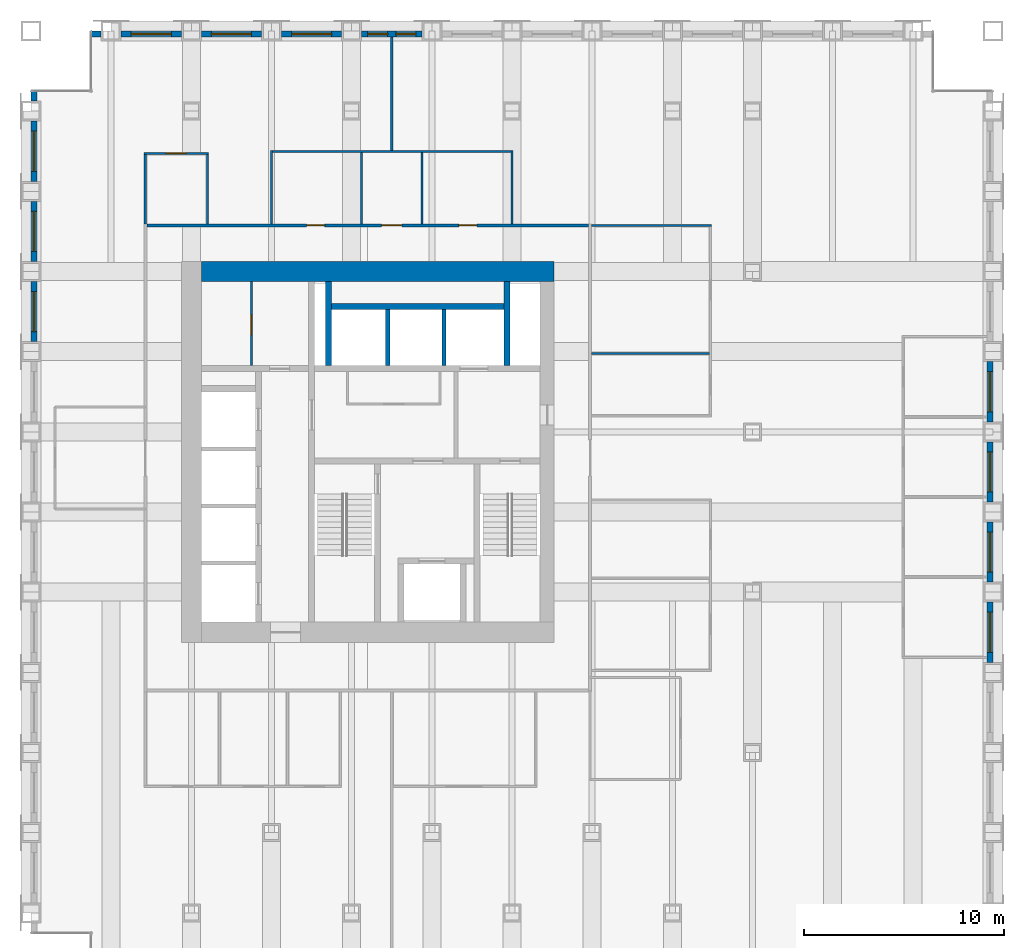
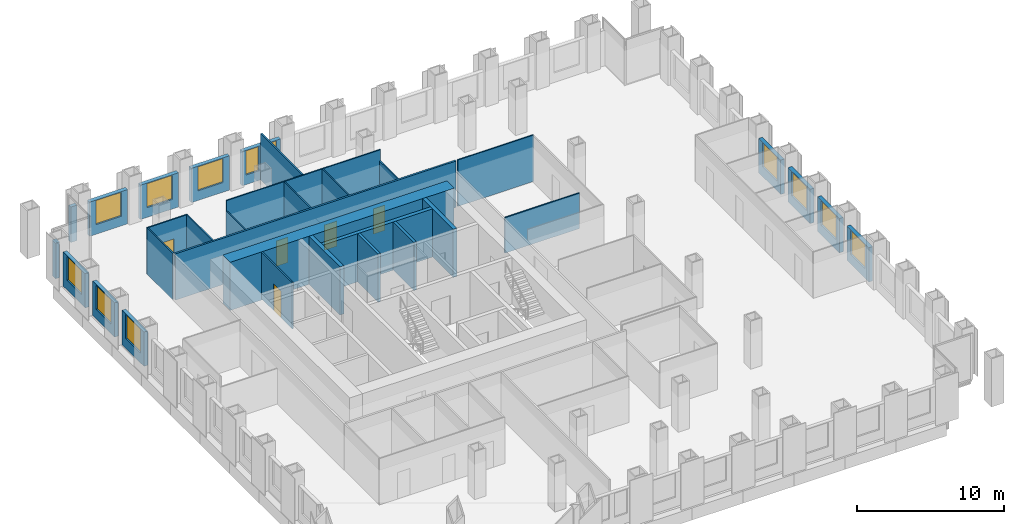
# One storey, part 13 of 16: 32 walls, 12 windows, 5 doors, 17 openings.
"""IFC4 building model written with IfcOpenShell, lengths in metres."""

import ifcopenshell
import ifcopenshell.guid

model = None  # the IFC model being written
_history = None  # IfcOwnerHistory: only IFC2X3 demands one
_inside = {}  # id of a spatial element -> (the spatial element, [elements in it])
_under = {}  # id of a project, library or spatial element -> (it, [spatial elements below it])
_declared = {}  # id of a project -> (the project, [libraries it declares])
_typed = {}  # id of a type object -> (the type object, [elements of that type])
_made_of = {}  # id of a material, layer set ... -> (it, [elements and type objects made of it])


def new_model(schema):
    """Start an empty IFC model of exactly this schema.

    Asked for "IFC4X3", IfcOpenShell would pick the latest addendum, in which some entities
    have other attributes; the version numbers below select the first issue.
    IFC2X3 requires an IfcOwnerHistory on every rooted entity: one is made here for all.
    """
    global model, _history
    if schema == "IFC4X3":
        model = ifcopenshell.file(schema_version=(4, 3, 0, 0))
    else:
        model = ifcopenshell.file(schema=schema)
    _inside.clear()
    _under.clear()
    _declared.clear()
    _typed.clear()
    _made_of.clear()
    _history = None
    if model.schema == "IFC2X3":
        org = make("IfcOrganization", Name="unknown")
        user = make(
            "IfcPersonAndOrganization",
            ThePerson=make("IfcPerson", FamilyName="unknown"),
            TheOrganization=org,
        )
        app = make(
            "IfcApplication",
            ApplicationDeveloper=org,
            Version="unknown",
            ApplicationFullName="unknown",
            ApplicationIdentifier="unknown",
        )
        _history = make(
            "IfcOwnerHistory",
            OwningUser=user,
            OwningApplication=app,
            ChangeAction="ADDED",
            CreationDate=0,
        )
    return model


def make(cls, **values):
    """One entity of the class cls with the attributes given. An attribute that is None is left unset."""
    return model.create_entity(
        cls, **{name: value for name, value in values.items() if value is not None}
    )


def rooted(cls, **values):
    """An entity with a GlobalId (a new one), such as an element, a storey or a relation."""
    return make(cls, GlobalId=ifcopenshell.guid.new(), OwnerHistory=_history, **values)


def si_unit(unit_type, name, prefix=None):
    """IfcSIUnit, for example si_unit("LENGTHUNIT", "METRE", prefix="MILLI")."""
    return make("IfcSIUnit", UnitType=unit_type, Prefix=prefix, Name=name)


def assignment(units):
    """IfcUnitAssignment: the units of a project."""
    return None if units is None else make("IfcUnitAssignment", Units=units)


def point(xyz):
    """IfcCartesianPoint."""
    return None if xyz is None else make("IfcCartesianPoint", Coordinates=xyz)


def direction(xyz):
    """IfcDirection."""
    return None if xyz is None else make("IfcDirection", DirectionRatios=xyz)


def frame(location, z_axis=None, x_axis=None):
    """IfcAxis2Placement3D, a coordinate frame: its origin and axes. An axis left out is left unset."""
    return make(
        "IfcAxis2Placement3D",
        Location=point(location),
        Axis=direction(z_axis),
        RefDirection=direction(x_axis),
    )


def frame_2d(location, x_axis=None):
    """IfcAxis2Placement2D, a coordinate frame in the plane: its origin and x axis."""
    return make(
        "IfcAxis2Placement2D", Location=point(location), RefDirection=direction(x_axis)
    )


def origin():
    """The frame at (0, 0, 0) with its axes left unset."""
    return frame((0.0, 0.0, 0.0))


def place(relative_to, where):
    """IfcLocalPlacement: puts the frame where relative to a parent placement (None: the world)."""
    return make(
        "IfcLocalPlacement", PlacementRelTo=relative_to, RelativePlacement=where
    )


def context(
    kind, dimensions, precision=None, world=None, true_north=None, identifier=None
):
    """IfcGeometricRepresentationContext, for example the 3D "Model" context."""
    return make(
        "IfcGeometricRepresentationContext",
        ContextIdentifier=identifier,
        ContextType=kind,
        CoordinateSpaceDimension=dimensions,
        Precision=precision,
        WorldCoordinateSystem=world,
        TrueNorth=true_north,
    )


def subcontext(parent, identifier, kind, view, scale=None):
    """IfcGeometricRepresentationSubContext, for example "Body" below "Model"."""
    return make(
        "IfcGeometricRepresentationSubContext",
        ContextIdentifier=identifier,
        ContextType=kind,
        ParentContext=parent,
        TargetScale=scale,
        TargetView=view,
    )


def project(units=None, contexts=None):
    """IfcProject with its units and contexts."""
    return rooted(
        "IfcProject",
        Name="project",
        RepresentationContexts=contexts,
        UnitsInContext=assignment(units),
    )


def spatial(cls, under=None, at=None, **own):
    """A site, building, storey or space (cls), placed at a placement, below another one or the project."""
    s = rooted(cls, ObjectPlacement=at, **own)
    if under is not None:
        _under.setdefault(under.id(), (under, []))[1].append(s)
    return s


def profile(cls, at=None, kind="AREA", **sizes):
    """A parametric profile (cls). Its sizes go by their IFC names, for example OverallWidth=200.0."""
    return make(cls, ProfileType=kind, Position=at, **sizes)


def rectangle(**sizes):
    """IfcRectangleProfileDef."""
    return profile("IfcRectangleProfileDef", **sizes)


def extrude(swept, where, along, depth):
    """IfcExtrudedAreaSolid: the profile swept, set in the frame where, extruded along a direction by depth."""
    return make(
        "IfcExtrudedAreaSolid",
        SweptArea=swept,
        Position=where,
        ExtrudedDirection=direction(along),
        Depth=depth,
    )


def shape(context_of_items, identifier, shape_type, items):
    """IfcShapeRepresentation: the items that make up one representation, for example the "Body"."""
    return make(
        "IfcShapeRepresentation",
        ContextOfItems=context_of_items,
        RepresentationIdentifier=identifier,
        RepresentationType=shape_type,
        Items=items,
    )


def material(Name=None, Category=None):
    """IfcMaterial."""
    return make("IfcMaterial", Name=Name, Category=Category)


def layer(
    of_material, thickness, ventilated=None, Name=None, Category=None, Priority=None
):
    """IfcMaterialLayer: one layer of a wall or slab, of a material (None: an air gap)."""
    return make(
        "IfcMaterialLayer",
        Material=of_material,
        LayerThickness=thickness,
        IsVentilated=ventilated,
        Name=Name,
        Category=Category,
        Priority=Priority,
    )


def layer_set(layers, Name=None):
    """IfcMaterialLayerSet."""
    return make("IfcMaterialLayerSet", MaterialLayers=layers, LayerSetName=Name)


def made_of(thing, what):
    """Note that an element or type object is made of a material, layer set ...; save() writes the relation."""
    if what is not None:
        _made_of.setdefault(what.id(), (what, []))[1].append(thing)
    return thing


def type_object(cls, material=None, **own):
    """A type object (cls), such as IfcWallType, which elements share."""
    return made_of(rooted(cls, **own), material)


def element(
    cls,
    number,
    at=None,
    inside=None,
    cuts=None,
    type_object=None,
    material=None,
    context=None,
    identifier="Body",
    shape_type=None,
    held_by="IfcProductDefinitionShape",
    body=None,
    shapes=None,
    **own,
):
    """One element of the class cls, such as IfcWall. Its Tag is "e" and its number.

    at: its placement. inside: the storey or other place that contains it. cuts: it is an
    opening in that element (IfcRelVoidsElement). A single representation is given by context,
    identifier, shape_type and body (its items); several are given by shapes. held_by: the class
    of the entity that holds the representations. save() writes the other relations.
    """
    e = rooted(cls, Tag="e%d" % number, ObjectPlacement=at, **own)
    if body is not None:
        shapes = [shape(context, identifier, shape_type, body)]
    if shapes is not None:
        e.Representation = make(held_by, Representations=shapes)
    if inside is not None:
        _inside.setdefault(inside.id(), (inside, []))[1].append(e)
    if cuts is not None:
        rooted(
            "IfcRelVoidsElement", RelatingBuildingElement=cuts, RelatedOpeningElement=e
        )
    if type_object is not None:
        _typed.setdefault(type_object.id(), (type_object, []))[1].append(e)
    return made_of(e, material)


def fill(opening, filler):
    """IfcRelFillsElement: the door or window that sits in an opening."""
    return rooted(
        "IfcRelFillsElement",
        RelatingOpeningElement=opening,
        RelatedBuildingElement=filler,
    )


def aggregate(whole, parts):
    """IfcRelAggregates: a whole, such as a stair, and the parts it consists of."""
    return rooted("IfcRelAggregates", RelatingObject=whole, RelatedObjects=parts)


def save(model, path):
    """Write the relations noted so far, then the file.

    IfcRelAggregates (storeys below a building ...), IfcRelContainedInSpatialStructure (elements
    in a storey), IfcRelDefinesByType, IfcRelAssociatesMaterial and IfcRelDeclares: one each for
    every whole, place, type object, material and project.
    """
    for whole, parts in _under.values():
        aggregate(whole, parts)
    for where, things in _inside.values():
        rooted(
            "IfcRelContainedInSpatialStructure",
            RelatedElements=things,
            RelatingStructure=where,
        )
    for kind, things in _typed.values():
        rooted("IfcRelDefinesByType", RelatedObjects=things, RelatingType=kind)
    for what, things in _made_of.values():
        rooted("IfcRelAssociatesMaterial", RelatedObjects=things, RelatingMaterial=what)
    for by, libraries in _declared.values():
        rooted("IfcRelDeclares", RelatingContext=by, RelatedDefinitions=libraries)
    model.write(path)


model = new_model("IFC4")

# Units and contexts
model_context = context("Model", 3, precision=1e-05, world=origin(), true_north=direction((0.0, 1.0)))
body_context = subcontext(model_context, "Body", "Model", "MODEL_VIEW")
ifc_project = project(units=[si_unit("LENGTHUNIT", "METRE"), si_unit("AREAUNIT", "SQUARE_METRE"), si_unit("VOLUMEUNIT", "CUBIC_METRE"), si_unit("PLANEANGLEUNIT", "RADIAN"), si_unit("MASSUNIT", "GRAM", prefix="KILO")], contexts=[model_context])

# Site, building, storey
site_placement = place(None, origin())
site = spatial("IfcSite", under=ifc_project, at=site_placement, CompositionType="ELEMENT")
building_placement = place(site_placement, origin())
building = spatial("IfcBuilding", under=site, at=building_placement, Name="Rimbunsela Tower", CompositionType="ELEMENT")
storey_placement = place(building_placement, frame((0.0, 0.0, 85.39990234375)))
storey = spatial("IfcBuildingStorey", under=building, at=storey_placement, Name="L20", CompositionType="ELEMENT", Elevation=85.39990234375)

# Walls
ifc_material_1 = material(Name="Concrete fc' 80 MPa", Category="concrete")
ifc_layer_1 = layer(ifc_material_1, 0.300048828125)
ifc_layer_set_1 = layer_set([ifc_layer_1], Name="Core internal wall 300")
wall_type_1 = type_object("IfcWallType", Name="Core internal wall 300", PredefinedType="SHEAR", material=ifc_layer_set_1)
for number, where, z_axis, x_axis, name in (
    (1, (24.85009765625, 31.300048828125, -0.14990234375), (0.0, 0.0, 1.0), (0.0, 1.0, 0.0), "Riser wall"),
    (2, (33.75, 31.300048828125, -0.14990234375), (0.0, 0.0, 1.0), (0.0, 1.0, 0.0), "Riser wall"),
):
    element("IfcWall", number, at=place(storey_placement, frame(where, z_axis=z_axis, x_axis=x_axis)), inside=storey, type_object=wall_type_1, Name=name, PredefinedType="SHEAR", context=body_context, shape_type="SweptSolid", body=[
        extrude(rectangle(XDim=4.199951171875, YDim=0.300048828125, at=frame_2d((2.10009765625, 0.0))), origin(), (0.0, 0.0, 1.0), 4.0),
    ])
wall_1_placement = place(storey_placement, frame((25.0, 34.25, -0.14990234375), z_axis=(0.0, 0.0, 1.0), x_axis=(1.0, 0.0, 0.0)))
element("IfcWall", 3, at=wall_1_placement, inside=storey, type_object=wall_type_1, Name="Lift shaft rear north", PredefinedType="SHEAR", context=body_context, shape_type="SweptSolid", body=[
    extrude(rectangle(XDim=8.60009765625, YDim=0.300048828125, at=frame_2d((4.300048828125, 0.0))), origin(), (0.0, 0.0, 1.0), 4.0),
])

# Wall, opening, door
ifc_material_2 = material(Name="Concrete blockwork", Category="masonry")
ifc_layer_2 = layer(ifc_material_2, 0.10009765625)
ifc_layer_set_2 = layer_set([ifc_layer_2], Name="Core room partition 100")
wall_type_2 = type_object("IfcWallType", Name="Core room partition 100", PredefinedType="PARTITIONING", material=ifc_layer_set_2)
wall_2_placement = place(storey_placement, frame((21.0, 31.300048828125, 0.0), z_axis=(0.0, 0.0, 1.0), x_axis=(0.0, 1.0, 0.0)))
wall_2 = element("IfcWall", 4, at=wall_2_placement, inside=storey, type_object=wall_type_2, Name="Housekeeping store wall", PredefinedType="PARTITIONING", context=body_context, shape_type="SweptSolid", body=[
    extrude(rectangle(XDim=4.199951171875, YDim=0.10009765625, at=frame_2d((2.10009765625, 0.0))), origin(), (0.0, 0.0, 1.0), 3.85009765625),
])
opening_1_placement = place(wall_2_placement, frame((1.550048828125, 0.0, 0.0)))
opening_1 = element("IfcOpeningElement", 5, at=opening_1_placement, cuts=wall_2, Name="Opening D19", PredefinedType="OPENING", context=body_context, shape_type="SweptSolid", body=[
    extrude(rectangle(XDim=1.0, YDim=2.199951171875, at=frame_2d((0.5, 1.10009765625))), frame((0.0, 0.06005859375, 0.0), z_axis=(0.0, -1.0, 0.0), x_axis=(1.0, 0.0, 0.0)), (0.0, 0.0, 1.0), 0.1201171875),
])
ifc_material_3 = material(Name="Steel door, fire rated", Category="steel")
door_type_1 = type_object("IfcDoorType", Name="Service door 1000 fire rated", OperationType="SINGLE_SWING_LEFT", PredefinedType="DOOR", material=ifc_material_3)
door_1_placement = place(opening_1_placement, origin())
door_1 = element("IfcDoor", 6, at=door_1_placement, inside=storey, type_object=door_type_1, Name="Housekeeping store door", OperationType="SINGLE_SWING_LEFT", OverallHeight=2.199951171875, OverallWidth=1.0, PredefinedType="DOOR", context=body_context, shape_type="SweptSolid", body=[
    extrude(rectangle(XDim=1.0, YDim=2.199951171875, at=frame_2d((0.5, 1.10009765625))), frame((0.0, 0.02490234375, 0.0), z_axis=(0.0, -1.0, 0.0), x_axis=(1.0, 0.0, 0.0)), (0.0, 0.0, 1.0), 0.050048828125),
])
fill(opening_1, door_1)

# Walls
ifc_material_4 = material(Name="Concrete fc' 80 MPa", Category="concrete")
ifc_layer_3 = layer(ifc_material_4, 1.0)
ifc_layer_set_3 = layer_set([ifc_layer_3], Name="Core wall 1000")
wall_type_3 = type_object("IfcWallType", Name="Core wall 1000", PredefinedType="SHEAR", material=ifc_layer_set_3)
wall_3_placement = place(storey_placement, frame((18.5, 36.0, -0.14990234375), z_axis=(0.0, 0.0, 1.0), x_axis=(1.0, 0.0, 0.0)))
element("IfcWall", 7, at=wall_3_placement, inside=storey, type_object=wall_type_3, Name="Core wall north", PredefinedType="SHEAR", context=body_context, shape_type="SweptSolid", body=[
    extrude(rectangle(XDim=17.60009765625, YDim=1.0, at=frame_2d((8.800048828125, 0.0))), origin(), (0.0, 0.0, 1.0), 4.0),
])
ifc_material_5 = material(Name="Concrete blockwork", Category="masonry")
ifc_layer_4 = layer(ifc_material_5, 0.199951171875)
ifc_layer_set_4 = layer_set([ifc_layer_4], Name="Lift shaft wall 200")
wall_type_4 = type_object("IfcWallType", Name="Lift shaft wall 200", PredefinedType="SOLIDWALL", material=ifc_layer_set_4)
for number, where, z_axis, x_axis, name in (
    (8, (27.800048828125, 31.300048828125, -0.14990234375), (0.0, 0.0, 1.0), (0.0, 1.0, 0.0), "Lift shaft separation"),
    (9, (30.60009765625, 31.300048828125, -0.14990234375), (0.0, 0.0, 1.0), (0.0, 1.0, 0.0), "Lift shaft separation"),
):
    element("IfcWall", number, at=place(storey_placement, frame(where, z_axis=z_axis, x_axis=x_axis)), inside=storey, type_object=wall_type_4, Name=name, PredefinedType="SOLIDWALL", context=body_context, shape_type="SweptSolid", body=[
        extrude(rectangle(XDim=2.800048828125, YDim=0.199951171875, at=frame_2d((1.39990234375, 0.0))), origin(), (0.0, 0.0, 1.0), 4.0),
    ])
ifc_material_6 = material(Name="Gypsum board on steel studs", Category="steel")
ifc_layer_5 = layer(ifc_material_6, 0.10009765625)
ifc_layer_set_5 = layer_set([ifc_layer_5], Name="Office partition 100")
wall_type_5 = type_object("IfcWallType", Name="Office partition 100", PredefinedType="PARTITIONING", material=ifc_layer_set_5)
wall_4_placement = place(storey_placement, frame((37.97509765625, 31.89990234375, 0.0), z_axis=(0.0, 0.0, 1.0), x_axis=(1.0, 0.0, 0.0)))
element("IfcWall", 10, at=wall_4_placement, inside=storey, type_object=wall_type_5, Name="Office partition", PredefinedType="PARTITIONING", context=body_context, shape_type="SweptSolid", body=[
    extrude(rectangle(XDim=5.875, YDim=0.10009765625, at=frame_2d((2.9375, 0.0))), origin(), (0.0, 0.0, 1.0), 2.9501953125),
])
wall_5_placement = place(storey_placement, frame((37.97509765625, 38.300048828125, 0.0), z_axis=(0.0, 0.0, 1.0), x_axis=(1.0, 0.0, 0.0)))
element("IfcWall", 11, at=wall_5_placement, inside=storey, type_object=wall_type_5, Name="Office partition", PredefinedType="PARTITIONING", context=body_context, shape_type="SweptSolid", body=[
    extrude(rectangle(XDim=5.974853515625, YDim=0.10009765625, at=frame_2d((2.9873046875, 0.0))), origin(), (0.0, 0.0, 1.0), 3.85009765625),
])

# Wall, opening, door
wall_6_placement = place(storey_placement, frame((15.64990234375, 41.89990234375, 0.0), z_axis=(0.0, 0.0, 1.0), x_axis=(1.0, 0.0, 0.0)))
wall_6 = element("IfcWall", 12, at=wall_6_placement, inside=storey, type_object=wall_type_5, Name="Office partition", PredefinedType="PARTITIONING", context=body_context, shape_type="SweptSolid", body=[
    extrude(rectangle(XDim=3.2001953125, YDim=0.10009765625, at=frame_2d((1.60009765625, 0.0))), origin(), (0.0, 0.0, 1.0), 3.85009765625),
])
opening_2_placement = place(wall_6_placement, frame((1.10009765625, 0.0, 0.0)))
opening_2 = element("IfcOpeningElement", 13, at=opening_2_placement, cuts=wall_6, Name="Opening D16", PredefinedType="OPENING", context=body_context, shape_type="SweptSolid", body=[
    extrude(rectangle(XDim=1.0, YDim=2.199951171875, at=frame_2d((0.5, 1.10009765625))), frame((0.0, 0.06005859375, 0.0), z_axis=(0.0, -1.0, 0.0), x_axis=(1.0, 0.0, 0.0)), (0.0, 0.0, 1.0), 0.1201171875),
])
ifc_material_7 = material(Name="Timber door", Category="wood")
door_type_2 = type_object("IfcDoorType", Name="Office door 1000", OperationType="SINGLE_SWING_LEFT", PredefinedType="DOOR", material=ifc_material_7)
door_2_placement = place(opening_2_placement, origin())
door_2 = element("IfcDoor", 14, at=door_2_placement, inside=storey, type_object=door_type_2, Name="Office door", OperationType="SINGLE_SWING_LEFT", OverallHeight=2.199951171875, OverallWidth=1.0, PredefinedType="DOOR", context=body_context, shape_type="SweptSolid", body=[
    extrude(rectangle(XDim=1.0, YDim=2.199951171875, at=frame_2d((0.5, 1.10009765625))), frame((0.0, 0.02490234375, 0.0), z_axis=(0.0, -1.0, 0.0), x_axis=(1.0, 0.0, 0.0)), (0.0, 0.0, 1.0), 0.050048828125),
])
fill(opening_2, door_2)

# Walls
for number, where, z_axis, x_axis, name in (
    (15, (15.699951171875, 38.375, 0.0), (0.0, 0.0, 1.0), (0.0, 1.0, 0.0), "Office partition"),
    (16, (18.800048828125, 38.375, 0.0), (0.0, 0.0, 1.0), (0.0, 1.0, 0.0), "Office partition"),
):
    element("IfcWall", number, at=place(storey_placement, frame(where, z_axis=z_axis, x_axis=x_axis)), inside=storey, type_object=wall_type_5, Name=name, PredefinedType="PARTITIONING", context=body_context, shape_type="SweptSolid", body=[
        extrude(rectangle(XDim=3.47509765625, YDim=0.10009765625, at=frame_2d((1.737548828125, 0.0))), origin(), (0.0, 0.0, 1.0), 3.85009765625),
    ])

# Wall, opening, window
ifc_material_8 = material(Name="Precast concrete fc' 35 MPa", Category="concrete")
ifc_layer_6 = layer(ifc_material_8, 0.300048828125)
ifc_layer_set_6 = layer_set([ifc_layer_6], Name="Precast concrete fc' 35 MPa")
wall_type_6 = type_object("IfcWallType", Name="Precast facade panel 300", PredefinedType="ELEMENTEDWALL", material=ifc_layer_set_6)
wall_7_placement = place(storey_placement, frame((57.85009765625, 16.5, 0.0), z_axis=(0.0, 0.0, 1.0), x_axis=(0.0, 1.0, 0.0)))
wall_7 = element("IfcWall", 17, at=wall_7_placement, inside=storey, type_object=wall_type_6, Name="Facade panel E L20", PredefinedType="ELEMENTEDWALL", context=body_context, shape_type="SweptSolid", body=[
    extrude(rectangle(XDim=3.0, YDim=0.300048828125, at=frame_2d((1.5, 0.0))), origin(), (0.0, 0.0, 1.0), 2.85009765625),
])
opening_3_placement = place(wall_7_placement, frame((0.5, 0.0, 0.800048828125)))
opening_3 = element("IfcOpeningElement", 18, at=opening_3_placement, cuts=wall_7, Name="Opening W1", PredefinedType="OPENING", context=body_context, shape_type="SweptSolid", body=[
    extrude(rectangle(XDim=2.0, YDim=2.0, at=frame_2d((1.0, 1.0))), frame((0.0, 0.159912109375, 0.0), z_axis=(0.0, -1.0, 0.0), x_axis=(1.0, 0.0, 0.0)), (0.0, 0.0, 1.0), 0.320068359375),
])
ifc_material_9 = material(Name="Clear glass in aluminium frame", Category="aluminium")
window_type_1 = type_object("IfcWindowType", Name="Window W1 2000x2000", PartitioningType="DOUBLE_PANEL_VERTICAL", PredefinedType="WINDOW", material=ifc_material_9)
window_1_placement = place(opening_3_placement, origin())
window_1 = element("IfcWindow", 19, at=window_1_placement, inside=storey, type_object=window_type_1, Name="Window L20", OverallHeight=2.0, OverallWidth=2.0, PartitioningType="SINGLE_PANEL", PredefinedType="WINDOW", context=body_context, shape_type="SweptSolid", body=[
    extrude(rectangle(XDim=2.0, YDim=2.0, at=frame_2d((1.0, 1.0))), frame((0.0, 0.030029296875, 0.0), z_axis=(0.0, -1.0, 0.0), x_axis=(1.0, 0.0, 0.0)), (0.0, 0.0, 1.0), 0.06005859375),
])
fill(opening_3, window_1)

wall_8_placement = place(storey_placement, frame((57.85009765625, 20.5, 0.0), z_axis=(0.0, 0.0, 1.0), x_axis=(0.0, 1.0, 0.0)))
wall_8 = element("IfcWall", 20, at=wall_8_placement, inside=storey, type_object=wall_type_6, Name="Facade panel E L20", PredefinedType="ELEMENTEDWALL", context=body_context, shape_type="SweptSolid", body=[
    extrude(rectangle(XDim=3.0, YDim=0.300048828125, at=frame_2d((1.5, 0.0))), origin(), (0.0, 0.0, 1.0), 2.85009765625),
])
opening_4_placement = place(wall_8_placement, frame((0.5, 0.0, 0.800048828125)))
opening_4 = element("IfcOpeningElement", 21, at=opening_4_placement, cuts=wall_8, Name="Opening W1", PredefinedType="OPENING", context=body_context, shape_type="SweptSolid", body=[
    extrude(rectangle(XDim=2.0, YDim=2.0, at=frame_2d((1.0, 1.0))), frame((0.0, 0.159912109375, 0.0), z_axis=(0.0, -1.0, 0.0), x_axis=(1.0, 0.0, 0.0)), (0.0, 0.0, 1.0), 0.320068359375),
])
window_2_placement = place(opening_4_placement, origin())
window_2 = element("IfcWindow", 22, at=window_2_placement, inside=storey, type_object=window_type_1, Name="Window L20", OverallHeight=2.0, OverallWidth=2.0, PartitioningType="SINGLE_PANEL", PredefinedType="WINDOW", context=body_context, shape_type="SweptSolid", body=[
    extrude(rectangle(XDim=2.0, YDim=2.0, at=frame_2d((1.0, 1.0))), frame((0.0, 0.030029296875, 0.0), z_axis=(0.0, -1.0, 0.0), x_axis=(1.0, 0.0, 0.0)), (0.0, 0.0, 1.0), 0.06005859375),
])
fill(opening_4, window_2)

wall_9_placement = place(storey_placement, frame((57.85009765625, 24.5, 0.0), z_axis=(0.0, 0.0, 1.0), x_axis=(0.0, 1.0, 0.0)))
wall_9 = element("IfcWall", 23, at=wall_9_placement, inside=storey, type_object=wall_type_6, Name="Facade panel E L20", PredefinedType="ELEMENTEDWALL", context=body_context, shape_type="SweptSolid", body=[
    extrude(rectangle(XDim=3.0, YDim=0.300048828125, at=frame_2d((1.5, 0.0))), origin(), (0.0, 0.0, 1.0), 2.85009765625),
])
opening_5_placement = place(wall_9_placement, frame((0.5, 0.0, 0.800048828125)))
opening_5 = element("IfcOpeningElement", 24, at=opening_5_placement, cuts=wall_9, Name="Opening W1", PredefinedType="OPENING", context=body_context, shape_type="SweptSolid", body=[
    extrude(rectangle(XDim=2.0, YDim=2.0, at=frame_2d((1.0, 1.0))), frame((0.0, 0.159912109375, 0.0), z_axis=(0.0, -1.0, 0.0), x_axis=(1.0, 0.0, 0.0)), (0.0, 0.0, 1.0), 0.320068359375),
])
window_3_placement = place(opening_5_placement, origin())
window_3 = element("IfcWindow", 25, at=window_3_placement, inside=storey, type_object=window_type_1, Name="Window L20", OverallHeight=2.0, OverallWidth=2.0, PartitioningType="SINGLE_PANEL", PredefinedType="WINDOW", context=body_context, shape_type="SweptSolid", body=[
    extrude(rectangle(XDim=2.0, YDim=2.0, at=frame_2d((1.0, 1.0))), frame((0.0, 0.030029296875, 0.0), z_axis=(0.0, -1.0, 0.0), x_axis=(1.0, 0.0, 0.0)), (0.0, 0.0, 1.0), 0.06005859375),
])
fill(opening_5, window_3)

wall_10_placement = place(storey_placement, frame((57.85009765625, 28.5, 0.0), z_axis=(0.0, 0.0, 1.0), x_axis=(0.0, 1.0, 0.0)))
wall_10 = element("IfcWall", 26, at=wall_10_placement, inside=storey, type_object=wall_type_6, Name="Facade panel E L20", PredefinedType="ELEMENTEDWALL", context=body_context, shape_type="SweptSolid", body=[
    extrude(rectangle(XDim=3.0, YDim=0.300048828125, at=frame_2d((1.5, 0.0))), origin(), (0.0, 0.0, 1.0), 2.85009765625),
])
opening_6_placement = place(wall_10_placement, frame((0.5, 0.0, 0.800048828125)))
opening_6 = element("IfcOpeningElement", 27, at=opening_6_placement, cuts=wall_10, Name="Opening W1", PredefinedType="OPENING", context=body_context, shape_type="SweptSolid", body=[
    extrude(rectangle(XDim=2.0, YDim=2.0, at=frame_2d((1.0, 1.0))), frame((0.0, 0.159912109375, 0.0), z_axis=(0.0, -1.0, 0.0), x_axis=(1.0, 0.0, 0.0)), (0.0, 0.0, 1.0), 0.320068359375),
])
window_4_placement = place(opening_6_placement, origin())
window_4 = element("IfcWindow", 28, at=window_4_placement, inside=storey, type_object=window_type_1, Name="Window L20", OverallHeight=2.0, OverallWidth=2.0, PartitioningType="SINGLE_PANEL", PredefinedType="WINDOW", context=body_context, shape_type="SweptSolid", body=[
    extrude(rectangle(XDim=2.0, YDim=2.0, at=frame_2d((1.0, 1.0))), frame((0.0, 0.030029296875, 0.0), z_axis=(0.0, -1.0, 0.0), x_axis=(1.0, 0.0, 0.0)), (0.0, 0.0, 1.0), 0.06005859375),
])
fill(opening_6, window_4)

# Wall
wall_11_placement = place(storey_placement, frame((13.5, 47.85009765625, 0.0), z_axis=(0.0, 0.0, 1.0), x_axis=(-1.0, 0.0, 0.0)))
element("IfcWall", 29, at=wall_11_placement, inside=storey, type_object=wall_type_6, Name="Facade panel N L20", PredefinedType="ELEMENTEDWALL", context=body_context, shape_type="SweptSolid", body=[
    extrude(rectangle(XDim=0.469970703125, YDim=0.300048828125, at=frame_2d((0.23486328125, 0.0))), origin(), (0.0, 0.0, 1.0), 2.9501953125),
])

# Wall, opening, window
wall_12_placement = place(storey_placement, frame((17.5, 47.85009765625, 0.0), z_axis=(0.0, 0.0, 1.0), x_axis=(-1.0, 0.0, 0.0)))
wall_12 = element("IfcWall", 30, at=wall_12_placement, inside=storey, type_object=wall_type_6, Name="Facade panel N L20", PredefinedType="ELEMENTEDWALL", context=body_context, shape_type="SweptSolid", body=[
    extrude(rectangle(XDim=3.0, YDim=0.300048828125, at=frame_2d((1.5, 0.0))), origin(), (0.0, 0.0, 1.0), 2.85009765625),
])
opening_7_placement = place(wall_12_placement, frame((0.5, 0.0, 0.800048828125)))
opening_7 = element("IfcOpeningElement", 31, at=opening_7_placement, cuts=wall_12, Name="Opening W1", PredefinedType="OPENING", context=body_context, shape_type="SweptSolid", body=[
    extrude(rectangle(XDim=2.0, YDim=2.0, at=frame_2d((1.0, 1.0))), frame((0.0, 0.159912109375, 0.0), z_axis=(0.0, -1.0, 0.0), x_axis=(1.0, 0.0, 0.0)), (0.0, 0.0, 1.0), 0.320068359375),
])
window_5_placement = place(opening_7_placement, origin())
window_5 = element("IfcWindow", 32, at=window_5_placement, inside=storey, type_object=window_type_1, Name="Window L20", OverallHeight=2.0, OverallWidth=2.0, PartitioningType="SINGLE_PANEL", PredefinedType="WINDOW", context=body_context, shape_type="SweptSolid", body=[
    extrude(rectangle(XDim=2.0, YDim=2.0, at=frame_2d((1.0, 1.0))), frame((0.0, 0.030029296875, 0.0), z_axis=(0.0, -1.0, 0.0), x_axis=(1.0, 0.0, 0.0)), (0.0, 0.0, 1.0), 0.06005859375),
])
fill(opening_7, window_5)

wall_13_placement = place(storey_placement, frame((21.5, 47.85009765625, 0.0), z_axis=(0.0, 0.0, 1.0), x_axis=(-1.0, 0.0, 0.0)))
wall_13 = element("IfcWall", 33, at=wall_13_placement, inside=storey, type_object=wall_type_6, Name="Facade panel N L20", PredefinedType="ELEMENTEDWALL", context=body_context, shape_type="SweptSolid", body=[
    extrude(rectangle(XDim=3.0, YDim=0.300048828125, at=frame_2d((1.5, 0.0))), origin(), (0.0, 0.0, 1.0), 2.85009765625),
])
opening_8_placement = place(wall_13_placement, frame((0.5, 0.0, 0.800048828125)))
opening_8 = element("IfcOpeningElement", 34, at=opening_8_placement, cuts=wall_13, Name="Opening W1", PredefinedType="OPENING", context=body_context, shape_type="SweptSolid", body=[
    extrude(rectangle(XDim=2.0, YDim=2.0, at=frame_2d((1.0, 1.0))), frame((0.0, 0.159912109375, 0.0), z_axis=(0.0, -1.0, 0.0), x_axis=(1.0, 0.0, 0.0)), (0.0, 0.0, 1.0), 0.320068359375),
])
window_6_placement = place(opening_8_placement, origin())
window_6 = element("IfcWindow", 35, at=window_6_placement, inside=storey, type_object=window_type_1, Name="Window L20", OverallHeight=2.0, OverallWidth=2.0, PartitioningType="SINGLE_PANEL", PredefinedType="WINDOW", context=body_context, shape_type="SweptSolid", body=[
    extrude(rectangle(XDim=2.0, YDim=2.0, at=frame_2d((1.0, 1.0))), frame((0.0, 0.030029296875, 0.0), z_axis=(0.0, -1.0, 0.0), x_axis=(1.0, 0.0, 0.0)), (0.0, 0.0, 1.0), 0.06005859375),
])
fill(opening_8, window_6)

wall_14_placement = place(storey_placement, frame((25.5, 47.85009765625, 0.0), z_axis=(0.0, 0.0, 1.0), x_axis=(-1.0, 0.0, 0.0)))
wall_14 = element("IfcWall", 36, at=wall_14_placement, inside=storey, type_object=wall_type_6, Name="Facade panel N L20", PredefinedType="ELEMENTEDWALL", context=body_context, shape_type="SweptSolid", body=[
    extrude(rectangle(XDim=3.0, YDim=0.300048828125, at=frame_2d((1.5, 0.0))), origin(), (0.0, 0.0, 1.0), 2.85009765625),
])
opening_9_placement = place(wall_14_placement, frame((0.5, 0.0, 0.800048828125)))
opening_9 = element("IfcOpeningElement", 37, at=opening_9_placement, cuts=wall_14, Name="Opening W1", PredefinedType="OPENING", context=body_context, shape_type="SweptSolid", body=[
    extrude(rectangle(XDim=2.0, YDim=2.0, at=frame_2d((1.0, 1.0))), frame((0.0, 0.159912109375, 0.0), z_axis=(0.0, -1.0, 0.0), x_axis=(1.0, 0.0, 0.0)), (0.0, 0.0, 1.0), 0.320068359375),
])
window_7_placement = place(opening_9_placement, origin())
window_7 = element("IfcWindow", 38, at=window_7_placement, inside=storey, type_object=window_type_1, Name="Window L20", OverallHeight=2.0, OverallWidth=2.0, PartitioningType="SINGLE_PANEL", PredefinedType="WINDOW", context=body_context, shape_type="SweptSolid", body=[
    extrude(rectangle(XDim=2.0, YDim=2.0, at=frame_2d((1.0, 1.0))), frame((0.0, 0.030029296875, 0.0), z_axis=(0.0, -1.0, 0.0), x_axis=(1.0, 0.0, 0.0)), (0.0, 0.0, 1.0), 0.06005859375),
])
fill(opening_9, window_7)

# Wall, openings, windows
wall_15_placement = place(storey_placement, frame((29.5, 47.85009765625, 0.0), z_axis=(0.0, 0.0, 1.0), x_axis=(-1.0, 0.0, 0.0)))
wall_15 = element("IfcWall", 39, at=wall_15_placement, inside=storey, type_object=wall_type_6, Name="Facade panel N L20", PredefinedType="ELEMENTEDWALL", context=body_context, shape_type="SweptSolid", body=[
    extrude(rectangle(XDim=3.0, YDim=0.300048828125, at=frame_2d((1.5, 0.0))), origin(), (0.0, 0.0, 1.0), 2.85009765625),
])
opening_10_placement = place(wall_15_placement, frame((1.699951171875, 0.0, 0.800048828125)))
opening_10 = element("IfcOpeningElement", 40, at=opening_10_placement, cuts=wall_15, Name="Opening W5", PredefinedType="OPENING", context=body_context, shape_type="SweptSolid", body=[
    extrude(rectangle(XDim=1.0, YDim=2.0, at=frame_2d((0.5, 1.0))), frame((0.0, 0.159912109375, 0.0), z_axis=(0.0, -1.0, 0.0), x_axis=(1.0, 0.0, 0.0)), (0.0, 0.0, 1.0), 0.320068359375),
])
opening_11_placement = place(wall_15_placement, frame((0.300048828125, 0.0, 0.800048828125)))
opening_11 = element("IfcOpeningElement", 41, at=opening_11_placement, cuts=wall_15, Name="Opening W5", PredefinedType="OPENING", context=body_context, shape_type="SweptSolid", body=[
    extrude(rectangle(XDim=1.0, YDim=2.0, at=frame_2d((0.5, 1.0))), frame((0.0, 0.159912109375, 0.0), z_axis=(0.0, -1.0, 0.0), x_axis=(1.0, 0.0, 0.0)), (0.0, 0.0, 1.0), 0.320068359375),
])
ifc_material_10 = material(Name="Clear glass in aluminium frame", Category="aluminium")
window_type_2 = type_object("IfcWindowType", Name="Window W5 1000x2000", PartitioningType="SINGLE_PANEL", PredefinedType="WINDOW", material=ifc_material_10)
window_8_placement = place(opening_10_placement, origin())
window_8 = element("IfcWindow", 42, at=window_8_placement, inside=storey, type_object=window_type_2, Name="Window L20", OverallHeight=2.0, OverallWidth=1.0, PartitioningType="SINGLE_PANEL", PredefinedType="WINDOW", context=body_context, shape_type="SweptSolid", body=[
    extrude(rectangle(XDim=1.0, YDim=2.0, at=frame_2d((0.5, 1.0))), frame((0.0, 0.030029296875, 0.0), z_axis=(0.0, -1.0, 0.0), x_axis=(1.0, 0.0, 0.0)), (0.0, 0.0, 1.0), 0.06005859375),
])
fill(opening_10, window_8)
window_9_placement = place(opening_11_placement, origin())
window_9 = element("IfcWindow", 43, at=window_9_placement, inside=storey, type_object=window_type_2, Name="Window L20", OverallHeight=2.0, OverallWidth=1.0, PartitioningType="SINGLE_PANEL", PredefinedType="WINDOW", context=body_context, shape_type="SweptSolid", body=[
    extrude(rectangle(XDim=1.0, YDim=2.0, at=frame_2d((0.5, 1.0))), frame((0.0, 0.030029296875, 0.0), z_axis=(0.0, -1.0, 0.0), x_axis=(1.0, 0.0, 0.0)), (0.0, 0.0, 1.0), 0.06005859375),
])
fill(opening_11, window_9)

# Wall, opening, window
wall_16_placement = place(storey_placement, frame((10.14990234375, 35.5, 0.0), z_axis=(0.0, 0.0, 1.0), x_axis=(0.0, -1.0, 0.0)))
wall_16 = element("IfcWall", 44, at=wall_16_placement, inside=storey, type_object=wall_type_6, Name="Facade panel W L20", PredefinedType="ELEMENTEDWALL", context=body_context, shape_type="SweptSolid", body=[
    extrude(rectangle(XDim=3.0, YDim=0.300048828125, at=frame_2d((1.5, 0.0))), origin(), (0.0, 0.0, 1.0), 2.85009765625),
])
opening_12_placement = place(wall_16_placement, frame((0.5, 0.0, 0.800048828125)))
opening_12 = element("IfcOpeningElement", 45, at=opening_12_placement, cuts=wall_16, Name="Opening W1", PredefinedType="OPENING", context=body_context, shape_type="SweptSolid", body=[
    extrude(rectangle(XDim=2.0, YDim=2.0, at=frame_2d((1.0, 1.0))), frame((0.0, 0.159912109375, 0.0), z_axis=(0.0, -1.0, 0.0), x_axis=(1.0, 0.0, 0.0)), (0.0, 0.0, 1.0), 0.320068359375),
])
window_10_placement = place(opening_12_placement, origin())
window_10 = element("IfcWindow", 46, at=window_10_placement, inside=storey, type_object=window_type_1, Name="Window L20", OverallHeight=2.0, OverallWidth=2.0, PartitioningType="SINGLE_PANEL", PredefinedType="WINDOW", context=body_context, shape_type="SweptSolid", body=[
    extrude(rectangle(XDim=2.0, YDim=2.0, at=frame_2d((1.0, 1.0))), frame((0.0, 0.030029296875, 0.0), z_axis=(0.0, -1.0, 0.0), x_axis=(1.0, 0.0, 0.0)), (0.0, 0.0, 1.0), 0.06005859375),
])
fill(opening_12, window_10)

wall_17_placement = place(storey_placement, frame((10.14990234375, 39.5, 0.0), z_axis=(0.0, 0.0, 1.0), x_axis=(0.0, -1.0, 0.0)))
wall_17 = element("IfcWall", 47, at=wall_17_placement, inside=storey, type_object=wall_type_6, Name="Facade panel W L20", PredefinedType="ELEMENTEDWALL", context=body_context, shape_type="SweptSolid", body=[
    extrude(rectangle(XDim=3.0, YDim=0.300048828125, at=frame_2d((1.5, 0.0))), origin(), (0.0, 0.0, 1.0), 2.85009765625),
])
opening_13_placement = place(wall_17_placement, frame((0.5, 0.0, 0.800048828125)))
opening_13 = element("IfcOpeningElement", 48, at=opening_13_placement, cuts=wall_17, Name="Opening W1", PredefinedType="OPENING", context=body_context, shape_type="SweptSolid", body=[
    extrude(rectangle(XDim=2.0, YDim=2.0, at=frame_2d((1.0, 1.0))), frame((0.0, 0.159912109375, 0.0), z_axis=(0.0, -1.0, 0.0), x_axis=(1.0, 0.0, 0.0)), (0.0, 0.0, 1.0), 0.320068359375),
])
window_11_placement = place(opening_13_placement, origin())
window_11 = element("IfcWindow", 49, at=window_11_placement, inside=storey, type_object=window_type_1, Name="Window L20", OverallHeight=2.0, OverallWidth=2.0, PartitioningType="SINGLE_PANEL", PredefinedType="WINDOW", context=body_context, shape_type="SweptSolid", body=[
    extrude(rectangle(XDim=2.0, YDim=2.0, at=frame_2d((1.0, 1.0))), frame((0.0, 0.030029296875, 0.0), z_axis=(0.0, -1.0, 0.0), x_axis=(1.0, 0.0, 0.0)), (0.0, 0.0, 1.0), 0.06005859375),
])
fill(opening_13, window_11)

wall_18_placement = place(storey_placement, frame((10.14990234375, 43.5, 0.0), z_axis=(0.0, 0.0, 1.0), x_axis=(0.0, -1.0, 0.0)))
wall_18 = element("IfcWall", 50, at=wall_18_placement, inside=storey, type_object=wall_type_6, Name="Facade panel W L20", PredefinedType="ELEMENTEDWALL", context=body_context, shape_type="SweptSolid", body=[
    extrude(rectangle(XDim=3.0, YDim=0.300048828125, at=frame_2d((1.5, 0.0))), origin(), (0.0, 0.0, 1.0), 2.85009765625),
])
opening_14_placement = place(wall_18_placement, frame((0.5, 0.0, 0.800048828125)))
opening_14 = element("IfcOpeningElement", 51, at=opening_14_placement, cuts=wall_18, Name="Opening W1", PredefinedType="OPENING", context=body_context, shape_type="SweptSolid", body=[
    extrude(rectangle(XDim=2.0, YDim=2.0, at=frame_2d((1.0, 1.0))), frame((0.0, 0.159912109375, 0.0), z_axis=(0.0, -1.0, 0.0), x_axis=(1.0, 0.0, 0.0)), (0.0, 0.0, 1.0), 0.320068359375),
])
window_12_placement = place(opening_14_placement, origin())
window_12 = element("IfcWindow", 52, at=window_12_placement, inside=storey, type_object=window_type_1, Name="Window L20", OverallHeight=2.0, OverallWidth=2.0, PartitioningType="SINGLE_PANEL", PredefinedType="WINDOW", context=body_context, shape_type="SweptSolid", body=[
    extrude(rectangle(XDim=2.0, YDim=2.0, at=frame_2d((1.0, 1.0))), frame((0.0, 0.030029296875, 0.0), z_axis=(0.0, -1.0, 0.0), x_axis=(1.0, 0.0, 0.0)), (0.0, 0.0, 1.0), 0.06005859375),
])
fill(opening_14, window_12)

# Wall
wall_19_placement = place(storey_placement, frame((10.14990234375, 44.969970703125, 0.0), z_axis=(0.0, 0.0, 1.0), x_axis=(0.0, -1.0, 0.0)))
element("IfcWall", 53, at=wall_19_placement, inside=storey, type_object=wall_type_6, Name="Facade panel W L20", PredefinedType="ELEMENTEDWALL", context=body_context, shape_type="SweptSolid", body=[
    extrude(rectangle(XDim=0.469970703125, YDim=0.300048828125, at=frame_2d((0.23486328125, 0.0))), origin(), (0.0, 0.0, 1.0), 2.9501953125),
])

# Wall, openings, doors
ifc_material_11 = material(Name="Fire-rated gypsum board on steel studs, EI 60", Category="steel")
ifc_layer_7 = layer(ifc_material_11, 0.14990234375)
ifc_layer_set_7 = layer_set([ifc_layer_7], Name="Rated corridor wall 150")
wall_type_7 = type_object("IfcWallType", Name="Rated corridor wall 150", PredefinedType="PARTITIONING", material=ifc_layer_set_7)
wall_20_placement = place(storey_placement, frame((15.77490234375, 38.300048828125, 0.0), z_axis=(0.0, 0.0, 1.0), x_axis=(1.0, 0.0, 0.0)))
wall_20 = element("IfcWall", 54, at=wall_20_placement, inside=storey, type_object=wall_type_7, Name="Corridor wall north", PredefinedType="PARTITIONING", context=body_context, shape_type="SweptSolid", body=[
    extrude(rectangle(XDim=22.050048828125, YDim=0.14990234375, at=frame_2d((11.02490234375, 0.0))), origin(), (0.0, 0.0, 1.0), 3.85009765625),
])
opening_15_placement = place(wall_20_placement, frame((7.97509765625, 0.0, 0.0)))
opening_15 = element("IfcOpeningElement", 55, at=opening_15_placement, cuts=wall_20, Name="Opening D04", PredefinedType="OPENING", context=body_context, shape_type="SweptSolid", body=[
    extrude(rectangle(XDim=0.89990234375, YDim=2.10009765625, at=frame_2d((0.449951171875, 1.050048828125))), frame((0.0, 0.0849609375, 0.0), z_axis=(0.0, -1.0, 0.0), x_axis=(1.0, 0.0, 0.0)), (0.0, 0.0, 1.0), 0.169921875),
])
opening_16_placement = place(wall_20_placement, frame((11.72509765625, 0.0, 0.0)))
opening_16 = element("IfcOpeningElement", 56, at=opening_16_placement, cuts=wall_20, Name="Opening D05", PredefinedType="OPENING", context=body_context, shape_type="SweptSolid", body=[
    extrude(rectangle(XDim=1.0, YDim=2.10009765625, at=frame_2d((0.5, 1.050048828125))), frame((0.0, 0.0849609375, 0.0), z_axis=(0.0, -1.0, 0.0), x_axis=(1.0, 0.0, 0.0)), (0.0, 0.0, 1.0), 0.169921875),
])
opening_17_placement = place(wall_20_placement, frame((15.574951171875, 0.0, 0.0)))
opening_17 = element("IfcOpeningElement", 57, at=opening_17_placement, cuts=wall_20, Name="Opening D04", PredefinedType="OPENING", context=body_context, shape_type="SweptSolid", body=[
    extrude(rectangle(XDim=0.89990234375, YDim=2.10009765625, at=frame_2d((0.449951171875, 1.050048828125))), frame((0.0, 0.0849609375, 0.0), z_axis=(0.0, -1.0, 0.0), x_axis=(1.0, 0.0, 0.0)), (0.0, 0.0, 1.0), 0.169921875),
])
ifc_material_12 = material(Name="Timber door", Category="wood")
door_type_3 = type_object("IfcDoorType", Name="Accessible WC door 1000", OperationType="SLIDING_TO_LEFT", PredefinedType="DOOR", material=ifc_material_12)
door_3_placement = place(opening_16_placement, origin())
door_3 = element("IfcDoor", 58, at=door_3_placement, inside=storey, type_object=door_type_3, Name="Accessible WC door", OperationType="SLIDING_TO_LEFT", OverallHeight=2.10009765625, OverallWidth=1.0, PredefinedType="DOOR", context=body_context, shape_type="SweptSolid", body=[
    extrude(rectangle(XDim=1.0, YDim=2.10009765625, at=frame_2d((0.5, 1.050048828125))), frame((0.0, 0.02490234375, 0.0), z_axis=(0.0, -1.0, 0.0), x_axis=(1.0, 0.0, 0.0)), (0.0, 0.0, 1.0), 0.050048828125),
])
fill(opening_16, door_3)
ifc_material_13 = material(Name="Timber door", Category="wood")
door_type_4 = type_object("IfcDoorType", Name="Toilet door 900", OperationType="SINGLE_SWING_LEFT", PredefinedType="DOOR", material=ifc_material_13)
door_4_placement = place(opening_15_placement, origin())
door_4 = element("IfcDoor", 59, at=door_4_placement, inside=storey, type_object=door_type_4, Name="Female WC door", OperationType="SINGLE_SWING_LEFT", OverallHeight=2.10009765625, OverallWidth=0.89990234375, PredefinedType="DOOR", context=body_context, shape_type="SweptSolid", body=[
    extrude(rectangle(XDim=0.89990234375, YDim=2.10009765625, at=frame_2d((0.449951171875, 1.050048828125))), frame((0.0, 0.02490234375, 0.0), z_axis=(0.0, -1.0, 0.0), x_axis=(1.0, 0.0, 0.0)), (0.0, 0.0, 1.0), 0.050048828125),
])
fill(opening_15, door_4)
door_5_placement = place(opening_17_placement, origin())
door_5 = element("IfcDoor", 60, at=door_5_placement, inside=storey, type_object=door_type_4, Name="Male WC door", OperationType="SINGLE_SWING_LEFT", OverallHeight=2.10009765625, OverallWidth=0.89990234375, PredefinedType="DOOR", context=body_context, shape_type="SweptSolid", body=[
    extrude(rectangle(XDim=0.89990234375, YDim=2.10009765625, at=frame_2d((0.449951171875, 1.050048828125))), frame((0.0, 0.02490234375, 0.0), z_axis=(0.0, -1.0, 0.0), x_axis=(1.0, 0.0, 0.0)), (0.0, 0.0, 1.0), 0.050048828125),
])
fill(opening_17, door_5)

# Walls
ifc_material_14 = material(Name="Gypsum board on steel studs", Category="steel")
ifc_layer_8 = layer(ifc_material_14, 0.1201171875)
ifc_layer_set_8 = layer_set([ifc_layer_8], Name="Tenancy partition 120")
wall_type_8 = type_object("IfcWallType", Name="Tenancy partition 120", PredefinedType="PARTITIONING", material=ifc_layer_set_8)
wall_21_placement = place(storey_placement, frame((28.0, 42.050048828125, 0.0), z_axis=(0.0, 0.0, 1.0), x_axis=(0.0, 1.0, 0.0)))
element("IfcWall", 61, at=wall_21_placement, inside=storey, type_object=wall_type_8, Name="Tenancy partition north", PredefinedType="PARTITIONING", context=body_context, shape_type="SweptSolid", body=[
    extrude(rectangle(XDim=5.64990234375, YDim=0.1201171875, at=frame_2d((2.824951171875, 0.0))), origin(), (0.0, 0.0, 1.0), 3.85009765625),
])
ifc_material_15 = material(Name="Concrete blockwork", Category="masonry")
ifc_layer_9 = layer(ifc_material_15, 0.10009765625)
ifc_layer_set_9 = layer_set([ifc_layer_9], Name="Toilet partition 100")
wall_type_9 = type_object("IfcWallType", Name="Toilet partition 100", PredefinedType="PARTITIONING", material=ifc_layer_set_9)
for number, where, z_axis, x_axis, name in (
    (62, (22.0, 38.375, 0.0), (0.0, 0.0, 1.0), (0.0, 1.0, 0.0), "Toilet block wall west"),
    (63, (34.0, 38.375, 0.0), (0.0, 0.0, 1.0), (0.0, 1.0, 0.0), "Toilet block wall east"),
):
    element("IfcWall", number, at=place(storey_placement, frame(where, z_axis=z_axis, x_axis=x_axis)), inside=storey, type_object=wall_type_9, Name=name, PredefinedType="PARTITIONING", context=body_context, shape_type="SweptSolid", body=[
        extrude(rectangle(XDim=3.675048828125, YDim=0.10009765625, at=frame_2d((1.83740234375, 0.0))), origin(), (0.0, 0.0, 1.0), 2.9501953125),
    ])
wall_22_placement = place(storey_placement, frame((21.949951171875, 42.0, 0.0), z_axis=(0.0, 0.0, 1.0), x_axis=(1.0, 0.0, 0.0)))
element("IfcWall", 64, at=wall_22_placement, inside=storey, type_object=wall_type_9, Name="Toilet block wall north", PredefinedType="PARTITIONING", context=body_context, shape_type="SweptSolid", body=[
    extrude(rectangle(XDim=12.10009765625, YDim=0.10009765625, at=frame_2d((6.050048828125, 0.0))), origin(), (0.0, 0.0, 1.0), 3.85009765625),
])
for number, where, z_axis, x_axis, name in (
    (65, (26.5, 38.375, 0.0), (0.0, 0.0, 1.0), (0.0, 1.0, 0.0), "Toilet partition"),
    (66, (29.5, 38.375, 0.0), (0.0, 0.0, 1.0), (0.0, 1.0, 0.0), "Toilet partition"),
):
    element("IfcWall", number, at=place(storey_placement, frame(where, z_axis=z_axis, x_axis=x_axis)), inside=storey, type_object=wall_type_9, Name=name, PredefinedType="PARTITIONING", context=body_context, shape_type="SweptSolid", body=[
        extrude(rectangle(XDim=3.574951171875, YDim=0.10009765625, at=frame_2d((1.78759765625, 0.0))), origin(), (0.0, 0.0, 1.0), 3.85009765625),
    ])

save(model, "model.ifc")
